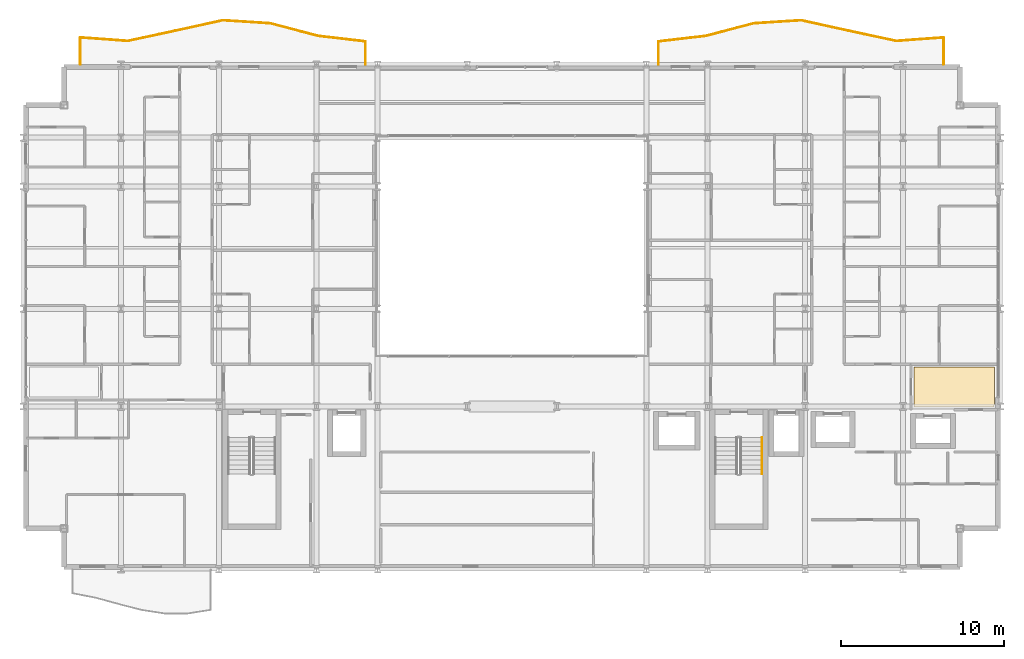
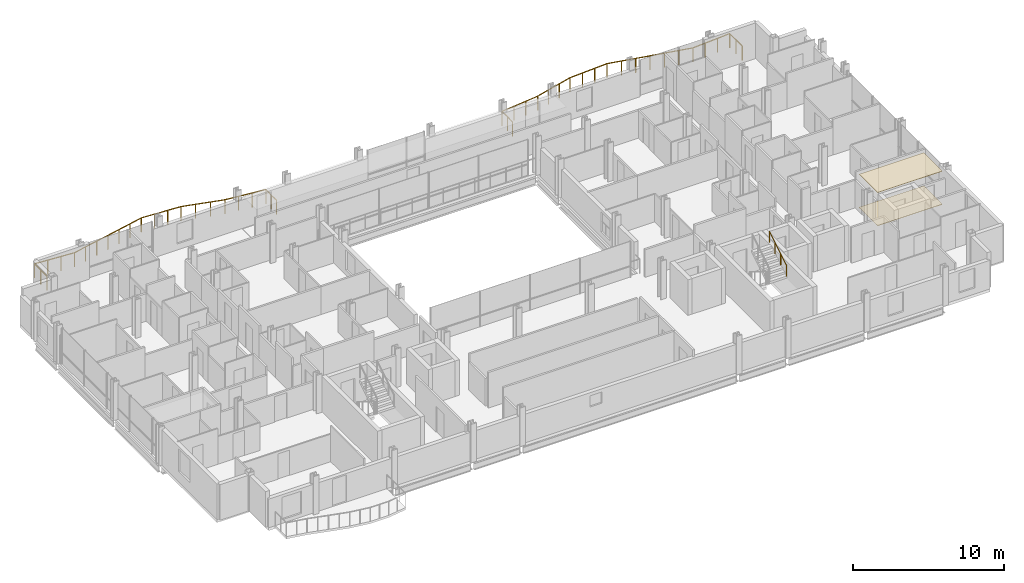
# One storey, part 40 of 40: 3 railings, 2 coverings.
"""IFC4 building model written with IfcOpenShell, lengths in metres."""

import ifcopenshell
import ifcopenshell.guid

model = None  # the IFC model being written
_history = None  # IfcOwnerHistory: only IFC2X3 demands one
_inside = {}  # id of a spatial element -> (the spatial element, [elements in it])
_under = {}  # id of a project, library or spatial element -> (it, [spatial elements below it])
_declared = {}  # id of a project -> (the project, [libraries it declares])
_typed = {}  # id of a type object -> (the type object, [elements of that type])
_made_of = {}  # id of a material, layer set ... -> (it, [elements and type objects made of it])


def new_model(schema):
    """Start an empty IFC model of exactly this schema.

    Asked for "IFC4X3", IfcOpenShell would pick the latest addendum, in which some entities
    have other attributes; the version numbers below select the first issue.
    IFC2X3 requires an IfcOwnerHistory on every rooted entity: one is made here for all.
    """
    global model, _history
    if schema == "IFC4X3":
        model = ifcopenshell.file(schema_version=(4, 3, 0, 0))
    else:
        model = ifcopenshell.file(schema=schema)
    _inside.clear()
    _under.clear()
    _declared.clear()
    _typed.clear()
    _made_of.clear()
    _history = None
    if model.schema == "IFC2X3":
        org = make("IfcOrganization", Name="unknown")
        user = make(
            "IfcPersonAndOrganization",
            ThePerson=make("IfcPerson", FamilyName="unknown"),
            TheOrganization=org,
        )
        app = make(
            "IfcApplication",
            ApplicationDeveloper=org,
            Version="unknown",
            ApplicationFullName="unknown",
            ApplicationIdentifier="unknown",
        )
        _history = make(
            "IfcOwnerHistory",
            OwningUser=user,
            OwningApplication=app,
            ChangeAction="ADDED",
            CreationDate=0,
        )
    return model


def make(cls, **values):
    """One entity of the class cls with the attributes given. An attribute that is None is left unset."""
    return model.create_entity(
        cls, **{name: value for name, value in values.items() if value is not None}
    )


def rooted(cls, **values):
    """An entity with a GlobalId (a new one), such as an element, a storey or a relation."""
    return make(cls, GlobalId=ifcopenshell.guid.new(), OwnerHistory=_history, **values)


def si_unit(unit_type, name, prefix=None):
    """IfcSIUnit, for example si_unit("LENGTHUNIT", "METRE", prefix="MILLI")."""
    return make("IfcSIUnit", UnitType=unit_type, Prefix=prefix, Name=name)


def assignment(units):
    """IfcUnitAssignment: the units of a project."""
    return None if units is None else make("IfcUnitAssignment", Units=units)


def point(xyz):
    """IfcCartesianPoint."""
    return None if xyz is None else make("IfcCartesianPoint", Coordinates=xyz)


def direction(xyz):
    """IfcDirection."""
    return None if xyz is None else make("IfcDirection", DirectionRatios=xyz)


def frame(location, z_axis=None, x_axis=None):
    """IfcAxis2Placement3D, a coordinate frame: its origin and axes. An axis left out is left unset."""
    return make(
        "IfcAxis2Placement3D",
        Location=point(location),
        Axis=direction(z_axis),
        RefDirection=direction(x_axis),
    )


def frame_2d(location, x_axis=None):
    """IfcAxis2Placement2D, a coordinate frame in the plane: its origin and x axis."""
    return make(
        "IfcAxis2Placement2D", Location=point(location), RefDirection=direction(x_axis)
    )


def origin():
    """The frame at (0, 0, 0) with its axes left unset."""
    return frame((0.0, 0.0, 0.0))


def origin_2d():
    """The frame at (0, 0) in the plane with its x axis left unset."""
    return frame_2d((0.0, 0.0))


def place(relative_to, where):
    """IfcLocalPlacement: puts the frame where relative to a parent placement (None: the world)."""
    return make(
        "IfcLocalPlacement", PlacementRelTo=relative_to, RelativePlacement=where
    )


def context(
    kind, dimensions, precision=None, world=None, true_north=None, identifier=None
):
    """IfcGeometricRepresentationContext, for example the 3D "Model" context."""
    return make(
        "IfcGeometricRepresentationContext",
        ContextIdentifier=identifier,
        ContextType=kind,
        CoordinateSpaceDimension=dimensions,
        Precision=precision,
        WorldCoordinateSystem=world,
        TrueNorth=true_north,
    )


def subcontext(parent, identifier, kind, view, scale=None):
    """IfcGeometricRepresentationSubContext, for example "Body" below "Model"."""
    return make(
        "IfcGeometricRepresentationSubContext",
        ContextIdentifier=identifier,
        ContextType=kind,
        ParentContext=parent,
        TargetScale=scale,
        TargetView=view,
    )


def project(units=None, contexts=None):
    """IfcProject with its units and contexts."""
    return rooted(
        "IfcProject",
        Name="project",
        RepresentationContexts=contexts,
        UnitsInContext=assignment(units),
    )


def spatial(cls, under=None, at=None, **own):
    """A site, building, storey or space (cls), placed at a placement, below another one or the project."""
    s = rooted(cls, ObjectPlacement=at, **own)
    if under is not None:
        _under.setdefault(under.id(), (under, []))[1].append(s)
    return s


def polyline(points):
    """IfcPolyline through the points."""
    return make("IfcPolyline", Points=[point(p) for p in points])


def profile(cls, at=None, kind="AREA", **sizes):
    """A parametric profile (cls). Its sizes go by their IFC names, for example OverallWidth=200.0."""
    return make(cls, ProfileType=kind, Position=at, **sizes)


def circle(**sizes):
    """IfcCircleProfileDef."""
    return profile("IfcCircleProfileDef", **sizes)


def outline(outer, holes=None, kind="AREA"):
    """IfcArbitraryClosedProfileDef: a profile drawn as a closed curve; with holes, ...WithVoids."""
    if holes is None:
        return make("IfcArbitraryClosedProfileDef", ProfileType=kind, OuterCurve=outer)
    return make(
        "IfcArbitraryProfileDefWithVoids",
        ProfileType=kind,
        OuterCurve=outer,
        InnerCurves=holes,
    )


def extrude(swept, where, along, depth):
    """IfcExtrudedAreaSolid: the profile swept, set in the frame where, extruded along a direction by depth."""
    return make(
        "IfcExtrudedAreaSolid",
        SweptArea=swept,
        Position=where,
        ExtrudedDirection=direction(along),
        Depth=depth,
    )


def shape(context_of_items, identifier, shape_type, items):
    """IfcShapeRepresentation: the items that make up one representation, for example the "Body"."""
    return make(
        "IfcShapeRepresentation",
        ContextOfItems=context_of_items,
        RepresentationIdentifier=identifier,
        RepresentationType=shape_type,
        Items=items,
    )


def material(Name=None, Category=None):
    """IfcMaterial."""
    return make("IfcMaterial", Name=Name, Category=Category)


def layer(
    of_material, thickness, ventilated=None, Name=None, Category=None, Priority=None
):
    """IfcMaterialLayer: one layer of a wall or slab, of a material (None: an air gap)."""
    return make(
        "IfcMaterialLayer",
        Material=of_material,
        LayerThickness=thickness,
        IsVentilated=ventilated,
        Name=Name,
        Category=Category,
        Priority=Priority,
    )


def layer_set(layers, Name=None):
    """IfcMaterialLayerSet."""
    return make("IfcMaterialLayerSet", MaterialLayers=layers, LayerSetName=Name)


def made_of(thing, what):
    """Note that an element or type object is made of a material, layer set ...; save() writes the relation."""
    if what is not None:
        _made_of.setdefault(what.id(), (what, []))[1].append(thing)
    return thing


def type_object(cls, material=None, **own):
    """A type object (cls), such as IfcWallType, which elements share."""
    return made_of(rooted(cls, **own), material)


def element(
    cls,
    number,
    at=None,
    inside=None,
    cuts=None,
    type_object=None,
    material=None,
    context=None,
    identifier="Body",
    shape_type=None,
    held_by="IfcProductDefinitionShape",
    body=None,
    shapes=None,
    **own,
):
    """One element of the class cls, such as IfcWall. Its Tag is "e" and its number.

    at: its placement. inside: the storey or other place that contains it. cuts: it is an
    opening in that element (IfcRelVoidsElement). A single representation is given by context,
    identifier, shape_type and body (its items); several are given by shapes. held_by: the class
    of the entity that holds the representations. save() writes the other relations.
    """
    e = rooted(cls, Tag="e%d" % number, ObjectPlacement=at, **own)
    if body is not None:
        shapes = [shape(context, identifier, shape_type, body)]
    if shapes is not None:
        e.Representation = make(held_by, Representations=shapes)
    if inside is not None:
        _inside.setdefault(inside.id(), (inside, []))[1].append(e)
    if cuts is not None:
        rooted(
            "IfcRelVoidsElement", RelatingBuildingElement=cuts, RelatedOpeningElement=e
        )
    if type_object is not None:
        _typed.setdefault(type_object.id(), (type_object, []))[1].append(e)
    return made_of(e, material)


def aggregate(whole, parts):
    """IfcRelAggregates: a whole, such as a stair, and the parts it consists of."""
    return rooted("IfcRelAggregates", RelatingObject=whole, RelatedObjects=parts)


def save(model, path):
    """Write the relations noted so far, then the file.

    IfcRelAggregates (storeys below a building ...), IfcRelContainedInSpatialStructure (elements
    in a storey), IfcRelDefinesByType, IfcRelAssociatesMaterial and IfcRelDeclares: one each for
    every whole, place, type object, material and project.
    """
    for whole, parts in _under.values():
        aggregate(whole, parts)
    for where, things in _inside.values():
        rooted(
            "IfcRelContainedInSpatialStructure",
            RelatedElements=things,
            RelatingStructure=where,
        )
    for kind, things in _typed.values():
        rooted("IfcRelDefinesByType", RelatedObjects=things, RelatingType=kind)
    for what, things in _made_of.values():
        rooted("IfcRelAssociatesMaterial", RelatedObjects=things, RelatingMaterial=what)
    for by, libraries in _declared.values():
        rooted("IfcRelDeclares", RelatingContext=by, RelatedDefinitions=libraries)
    model.write(path)


model = new_model("IFC4")

# Units and contexts
model_context = context("Model", 3, precision=1e-05, world=origin(), true_north=direction((0.0, 1.0)))
body_context = subcontext(model_context, "Body", "Model", "MODEL_VIEW")
ifc_project = project(units=[si_unit("LENGTHUNIT", "METRE"), si_unit("AREAUNIT", "SQUARE_METRE"), si_unit("VOLUMEUNIT", "CUBIC_METRE"), si_unit("PLANEANGLEUNIT", "RADIAN"), si_unit("MASSUNIT", "GRAM", prefix="KILO")], contexts=[model_context])

# Site, building, storey
site_placement = place(None, origin())
site = spatial("IfcSite", under=ifc_project, at=site_placement, CompositionType="ELEMENT")
building_placement = place(site_placement, origin())
building = spatial("IfcBuilding", under=site, at=building_placement, Name="Brevholm Reach", CompositionType="ELEMENT")
storey_placement = place(building_placement, frame((0.0, 0.0, 37.300048828125)))
storey = spatial("IfcBuildingStorey", under=building, at=storey_placement, Name="L09", CompositionType="ELEMENT", Elevation=37.300048828125)

# Coverings
ifc_material_1 = material(Name="Moisture-Resistant Skimmed Gypsum Plasterboard Ceiling", Category="gypsum")
ifc_layer_1 = layer(ifc_material_1, 0.030029296875)
ifc_layer_set_1 = layer_set([ifc_layer_1], Name="Moisture-Resistant Skimmed Gypsum Plasterboard Ceiling")
covering_type_1 = type_object("IfcCoveringType", Name="COV-CLG-GYP", PredefinedType="CEILING", material=ifc_layer_set_1)
covering_1_placement = place(storey_placement, frame((0.0, 0.0, 2.669921875)))
element("IfcCovering", 1, at=covering_1_placement, inside=storey, type_object=covering_type_1, Name="L09 Suspended Ceiling L09-30", PredefinedType="CEILING", context=body_context, shape_type="SweptSolid", body=[
    extrude(outline(polyline([(59.6201171875, 12.419921875), (59.6201171875, 10.123779296875), (59.6171875, 10.1162109375), (59.607666015625, 10.077880859375), (59.601806640625, 10.039306640625), (59.60009765625, 10.0), (59.60107421875, 9.97998046875), (54.68408203125, 9.97998046875), (54.68408203125, 12.419921875), (59.6201171875, 12.419921875)])), origin(), (0.0, 0.0, 1.0), 0.030029296875),
])
ifc_material_2 = material(Name="Honed Portland-Aggregate Resin Terrazzo Flooring", Category="concrete")
ifc_layer_2 = layer(ifc_material_2, 0.031982421875)
ifc_layer_set_2 = layer_set([ifc_layer_2], Name="Honed Portland-Aggregate Resin Terrazzo Flooring")
covering_type_2 = type_object("IfcCoveringType", Name="COV-FLR-TRZ", PredefinedType="FLOORING", material=ifc_layer_set_2)
covering_2_placement = place(storey_placement, origin())
element("IfcCovering", 2, at=covering_2_placement, inside=storey, type_object=covering_type_2, Name="L09 Floor Finish L09-30", PredefinedType="FLOORING", context=body_context, shape_type="SweptSolid", body=[
    extrude(outline(polyline([(59.6201171875, 12.419921875), (59.6201171875, 10.123779296875), (59.6171875, 10.1162109375), (59.607666015625, 10.077880859375), (59.601806640625, 10.039306640625), (59.60009765625, 10.0), (59.60107421875, 9.97998046875), (54.68408203125, 9.97998046875), (54.68408203125, 12.419921875), (59.6201171875, 12.419921875)])), origin(), (0.0, 0.0, 1.0), 0.031982421875),
])

# Railings
ifc_material_3 = material(Name="Brushed Stainless Steel EN 1.4401 and Laminated Glass", Category="steel")
railing_type_1 = type_object("IfcRailingType", Name="RAL-BALC-1150", PredefinedType="BALUSTRADE", material=ifc_material_3)
railing_1_placement = place(storey_placement, frame((56.5, 31.0, 0.0)))
element("IfcRailing", 3, at=railing_1_placement, inside=storey, type_object=railing_type_1, Name="L09 Guard Balustrade RAL-L09-BAL-NE", PredefinedType="BALUSTRADE", context=body_context, shape_type="SweptSolid", body=[
    extrude(circle(Radius=0.02392578125, at=origin_2d()), frame((0.0, 0.0, 1.1259765625), z_axis=(0.0, 1.0, 0.0), x_axis=(-1.0, 0.0, 0.0)), (0.0, 0.0, 1.0), 1.650146484375),
    extrude(circle(Radius=0.02392578125, at=origin_2d()), frame((0.0, 1.650146484375, 1.1259765625), z_axis=(-0.997334760815, -0.072961461535, 0.0), x_axis=(0.072961461535, -0.997334760815, 0.0)), (0.0, 0.0, 1.0), 2.924560546875),
    extrude(circle(Radius=0.02392578125, at=origin_2d()), frame((-2.916748046875, 1.436767578125, 1.1259765625), z_axis=(-0.977699293222, 0.21000974271, 0.0), x_axis=(-0.21000974271, -0.977699293222, 0.0)), (0.0, 0.0, 1.0), 2.98291015625),
    extrude(circle(Radius=0.02392578125, at=origin_2d()), frame((-5.833251953125, 2.063232421875, 1.1259765625), z_axis=(-0.976633143635, 0.214913244715, 0.0), x_axis=(-0.214913244715, -0.976633143635, 0.0)), (0.0, 0.0, 1.0), 2.986572265625),
    extrude(circle(Radius=0.02392578125, at=origin_2d()), frame((-8.75, 2.705078125, 1.1259765625), z_axis=(-0.997945514781, -0.06406831923, 0.0), x_axis=(0.06406831923, -0.997945514781, 0.0)), (0.0, 0.0, 1.0), 2.9228515625),
    extrude(circle(Radius=0.02392578125, at=origin_2d()), frame((-11.666748046875, 2.517822265625, 1.1259765625), z_axis=(-0.966868735292, -0.255274065889, 0.0), x_axis=(0.255274065889, -0.966868735292, 0.0)), (0.0, 0.0, 1.0), 3.016357421875),
    extrude(circle(Radius=0.02392578125, at=origin_2d()), frame((-14.583251953125, 1.747802734375, 1.1259765625), z_axis=(-0.99329006652, -0.11564965954, 0.0), x_axis=(0.11564965954, -0.99329006652, 0.0)), (0.0, 0.0, 1.0), 2.9365234375),
    extrude(circle(Radius=0.02392578125, at=origin_2d()), frame((-17.5, 1.408203125, 1.1259765625), z_axis=(0.0, -1.0, 0.0), x_axis=(1.0, 0.0, 0.0)), (0.0, 0.0, 1.0), 1.408203125),
    extrude(circle(Radius=0.02099609375, at=origin_2d()), origin(), (0.0, 0.0, 1.0), 1.101806640625),
    extrude(circle(Radius=0.02099609375, at=origin_2d()), frame((0.0, 0.8251953125, 0.0)), (0.0, 0.0, 1.0), 1.101806640625),
    extrude(circle(Radius=0.02099609375, at=origin_2d()), frame((0.0, 1.650146484375, 0.0)), (0.0, 0.0, 1.0), 1.101806640625),
    extrude(circle(Radius=0.02099609375, at=origin_2d()), frame((-0.97216796875, 1.5791015625, 0.0)), (0.0, 0.0, 1.0), 1.101806640625),
    extrude(circle(Radius=0.02099609375, at=origin_2d()), frame((-1.944580078125, 1.5078125, 0.0)), (0.0, 0.0, 1.0), 1.101806640625),
    extrude(circle(Radius=0.02099609375, at=origin_2d()), frame((-2.916748046875, 1.436767578125, 0.0)), (0.0, 0.0, 1.0), 1.101806640625),
    extrude(circle(Radius=0.02099609375, at=origin_2d()), frame((-3.888916015625, 1.6455078125, 0.0)), (0.0, 0.0, 1.0), 1.101806640625),
    extrude(circle(Radius=0.02099609375, at=origin_2d()), frame((-4.861083984375, 1.8544921875, 0.0)), (0.0, 0.0, 1.0), 1.101806640625),
    extrude(circle(Radius=0.02099609375, at=origin_2d()), frame((-5.833251953125, 2.063232421875, 0.0)), (0.0, 0.0, 1.0), 1.101806640625),
    extrude(circle(Radius=0.02099609375, at=origin_2d()), frame((-6.805419921875, 2.277099609375, 0.0)), (0.0, 0.0, 1.0), 1.101806640625),
    extrude(circle(Radius=0.02099609375, at=origin_2d()), frame((-7.77783203125, 2.4912109375, 0.0)), (0.0, 0.0, 1.0), 1.101806640625),
    extrude(circle(Radius=0.02099609375, at=origin_2d()), frame((-8.75, 2.705078125, 0.0)), (0.0, 0.0, 1.0), 1.101806640625),
    extrude(circle(Radius=0.02099609375, at=origin_2d()), frame((-9.72216796875, 2.642578125, 0.0)), (0.0, 0.0, 1.0), 1.101806640625),
    extrude(circle(Radius=0.02099609375, at=origin_2d()), frame((-10.694580078125, 2.580322265625, 0.0)), (0.0, 0.0, 1.0), 1.101806640625),
    extrude(circle(Radius=0.02099609375, at=origin_2d()), frame((-11.666748046875, 2.517822265625, 0.0)), (0.0, 0.0, 1.0), 1.101806640625),
    extrude(circle(Radius=0.02099609375, at=origin_2d()), frame((-12.638916015625, 2.26123046875, 0.0)), (0.0, 0.0, 1.0), 1.101806640625),
    extrude(circle(Radius=0.02099609375, at=origin_2d()), frame((-13.611083984375, 2.00439453125, 0.0)), (0.0, 0.0, 1.0), 1.101806640625),
    extrude(circle(Radius=0.02099609375, at=origin_2d()), frame((-14.583251953125, 1.747802734375, 0.0)), (0.0, 0.0, 1.0), 1.101806640625),
    extrude(circle(Radius=0.02099609375, at=origin_2d()), frame((-15.555419921875, 1.634521484375, 0.0)), (0.0, 0.0, 1.0), 1.101806640625),
    extrude(circle(Radius=0.02099609375, at=origin_2d()), frame((-16.52783203125, 1.521484375, 0.0)), (0.0, 0.0, 1.0), 1.101806640625),
    extrude(circle(Radius=0.02099609375, at=origin_2d()), frame((-17.5, 1.408203125, 0.0)), (0.0, 0.0, 1.0), 1.101806640625),
    extrude(circle(Radius=0.02099609375, at=origin_2d()), frame((-17.5, 0.7041015625, 0.0)), (0.0, 0.0, 1.0), 1.101806640625),
    extrude(circle(Radius=0.02099609375, at=origin_2d()), frame((-17.5, 0.0, 0.0)), (0.0, 0.0, 1.0), 1.101806640625),
])
railing_2_placement = place(storey_placement, frame((21.0, 31.0, 0.0)))
element("IfcRailing", 4, at=railing_2_placement, inside=storey, type_object=railing_type_1, Name="L09 Guard Balustrade RAL-L09-BAL-NW", PredefinedType="BALUSTRADE", context=body_context, shape_type="SweptSolid", body=[
    extrude(circle(Radius=0.02392578125, at=origin_2d()), frame((0.0, 0.0, 1.1259765625), z_axis=(0.0, 1.0, 0.0), x_axis=(-1.0, 0.0, 0.0)), (0.0, 0.0, 1.0), 1.408203125),
    extrude(circle(Radius=0.02392578125, at=origin_2d()), frame((0.0, 1.408203125, 1.1259765625), z_axis=(-0.99329006652, 0.11564965954, 0.0), x_axis=(-0.11564965954, -0.99329006652, 0.0)), (0.0, 0.0, 1.0), 2.9365234375),
    extrude(circle(Radius=0.02392578125, at=origin_2d()), frame((-2.916748046875, 1.747802734375, 1.1259765625), z_axis=(-0.966868735292, 0.255274065889, 0.0), x_axis=(-0.255274065889, -0.966868735292, 0.0)), (0.0, 0.0, 1.0), 3.016357421875),
    extrude(circle(Radius=0.02392578125, at=origin_2d()), frame((-5.833251953125, 2.517822265625, 1.1259765625), z_axis=(-0.997945514781, 0.06406831923, 0.0), x_axis=(-0.06406831923, -0.997945514781, 0.0)), (0.0, 0.0, 1.0), 2.9228515625),
    extrude(circle(Radius=0.02392578125, at=origin_2d()), frame((-8.75, 2.705078125, 1.1259765625), z_axis=(-0.976633143635, -0.214913244715, 0.0), x_axis=(0.214913244715, -0.976633143635, 0.0)), (0.0, 0.0, 1.0), 2.986572265625),
    extrude(circle(Radius=0.02392578125, at=origin_2d()), frame((-11.666748046875, 2.063232421875, 1.1259765625), z_axis=(-0.977699293222, -0.21000974271, 0.0), x_axis=(0.21000974271, -0.977699293222, 0.0)), (0.0, 0.0, 1.0), 2.98291015625),
    extrude(circle(Radius=0.02392578125, at=origin_2d()), frame((-14.583251953125, 1.436767578125, 1.1259765625), z_axis=(-0.997334760815, 0.072961461535, 0.0), x_axis=(-0.072961461535, -0.997334760815, 0.0)), (0.0, 0.0, 1.0), 2.924560546875),
    extrude(circle(Radius=0.02392578125, at=origin_2d()), frame((-17.5, 1.650146484375, 1.1259765625), z_axis=(0.0, -1.0, 0.0), x_axis=(1.0, 0.0, 0.0)), (0.0, 0.0, 1.0), 1.650146484375),
    extrude(circle(Radius=0.02099609375, at=origin_2d()), origin(), (0.0, 0.0, 1.0), 1.101806640625),
    extrude(circle(Radius=0.02099609375, at=origin_2d()), frame((0.0, 0.7041015625, 0.0)), (0.0, 0.0, 1.0), 1.101806640625),
    extrude(circle(Radius=0.02099609375, at=origin_2d()), frame((0.0, 1.408203125, 0.0)), (0.0, 0.0, 1.0), 1.101806640625),
    extrude(circle(Radius=0.02099609375, at=origin_2d()), frame((-0.97216796875, 1.521484375, 0.0)), (0.0, 0.0, 1.0), 1.101806640625),
    extrude(circle(Radius=0.02099609375, at=origin_2d()), frame((-1.944580078125, 1.634521484375, 0.0)), (0.0, 0.0, 1.0), 1.101806640625),
    extrude(circle(Radius=0.02099609375, at=origin_2d()), frame((-2.916748046875, 1.747802734375, 0.0)), (0.0, 0.0, 1.0), 1.101806640625),
    extrude(circle(Radius=0.02099609375, at=origin_2d()), frame((-3.888916015625, 2.00439453125, 0.0)), (0.0, 0.0, 1.0), 1.101806640625),
    extrude(circle(Radius=0.02099609375, at=origin_2d()), frame((-4.861083984375, 2.26123046875, 0.0)), (0.0, 0.0, 1.0), 1.101806640625),
    extrude(circle(Radius=0.02099609375, at=origin_2d()), frame((-5.833251953125, 2.517822265625, 0.0)), (0.0, 0.0, 1.0), 1.101806640625),
    extrude(circle(Radius=0.02099609375, at=origin_2d()), frame((-6.805419921875, 2.580322265625, 0.0)), (0.0, 0.0, 1.0), 1.101806640625),
    extrude(circle(Radius=0.02099609375, at=origin_2d()), frame((-7.77783203125, 2.642578125, 0.0)), (0.0, 0.0, 1.0), 1.101806640625),
    extrude(circle(Radius=0.02099609375, at=origin_2d()), frame((-8.75, 2.705078125, 0.0)), (0.0, 0.0, 1.0), 1.101806640625),
    extrude(circle(Radius=0.02099609375, at=origin_2d()), frame((-9.72216796875, 2.4912109375, 0.0)), (0.0, 0.0, 1.0), 1.101806640625),
    extrude(circle(Radius=0.02099609375, at=origin_2d()), frame((-10.694580078125, 2.277099609375, 0.0)), (0.0, 0.0, 1.0), 1.101806640625),
    extrude(circle(Radius=0.02099609375, at=origin_2d()), frame((-11.666748046875, 2.063232421875, 0.0)), (0.0, 0.0, 1.0), 1.101806640625),
    extrude(circle(Radius=0.02099609375, at=origin_2d()), frame((-12.638916015625, 1.8544921875, 0.0)), (0.0, 0.0, 1.0), 1.101806640625),
    extrude(circle(Radius=0.02099609375, at=origin_2d()), frame((-13.611083984375, 1.6455078125, 0.0)), (0.0, 0.0, 1.0), 1.101806640625),
    extrude(circle(Radius=0.02099609375, at=origin_2d()), frame((-14.583251953125, 1.436767578125, 0.0)), (0.0, 0.0, 1.0), 1.101806640625),
    extrude(circle(Radius=0.02099609375, at=origin_2d()), frame((-15.555419921875, 1.5078125, 0.0)), (0.0, 0.0, 1.0), 1.101806640625),
    extrude(circle(Radius=0.02099609375, at=origin_2d()), frame((-16.52783203125, 1.5791015625, 0.0)), (0.0, 0.0, 1.0), 1.101806640625),
    extrude(circle(Radius=0.02099609375, at=origin_2d()), frame((-17.5, 1.650146484375, 0.0)), (0.0, 0.0, 1.0), 1.101806640625),
    extrude(circle(Radius=0.02099609375, at=origin_2d()), frame((-17.5, 0.8251953125, 0.0)), (0.0, 0.0, 1.0), 1.101806640625),
    extrude(circle(Radius=0.02099609375, at=origin_2d()), frame((-17.5, 0.0, 0.0)), (0.0, 0.0, 1.0), 1.101806640625),
])
ifc_material_4 = material(Name="Brushed Stainless Steel EN 1.4401 Continuous Handrail", Category="steel")
railing_type_2 = type_object("IfcRailingType", Name="RAL-HND-950", PredefinedType="HANDRAIL", material=ifc_material_4)
railing_3_placement = place(storey_placement, frame((45.35009765625, 5.860107421875, 1.72216796875)))
element("IfcRailing", 5, at=railing_3_placement, inside=storey, type_object=railing_type_2, Name="L09 ST-2 stair handrail 2", PredefinedType="HANDRAIL", context=body_context, shape_type="SweptSolid", body=[
    extrude(circle(Radius=0.02392578125, at=origin_2d()), frame((0.0, 0.0, 0.8857421875), z_axis=(0.0, 0.85178898068, 0.523885037382), x_axis=(-1.0, 0.0, 0.0)), (0.0, 0.0, 1.0), 2.629638671875),
    extrude(circle(Radius=0.02099609375, at=origin_2d()), origin(), (0.0, 0.0, 1.0), 0.86181640625),
    extrude(circle(Radius=0.02099609375, at=origin_2d()), frame((0.0, 0.74658203125, 0.459228515625)), (0.0, 0.0, 1.0), 0.86181640625),
    extrude(circle(Radius=0.02099609375, at=origin_2d()), frame((0.0, 1.493408203125, 0.91845703125)), (0.0, 0.0, 1.0), 0.86181640625),
    extrude(circle(Radius=0.02099609375, at=origin_2d()), frame((0.0, 2.239990234375, 1.377685546875)), (0.0, 0.0, 1.0), 0.86181640625),
])

save(model, "model.ifc")
